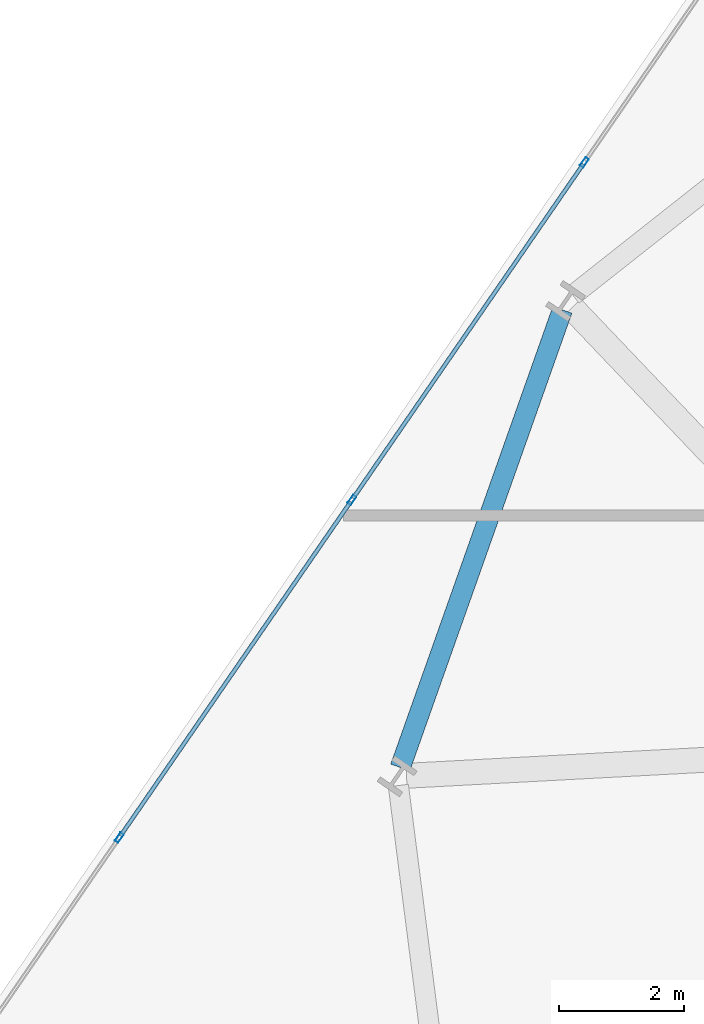
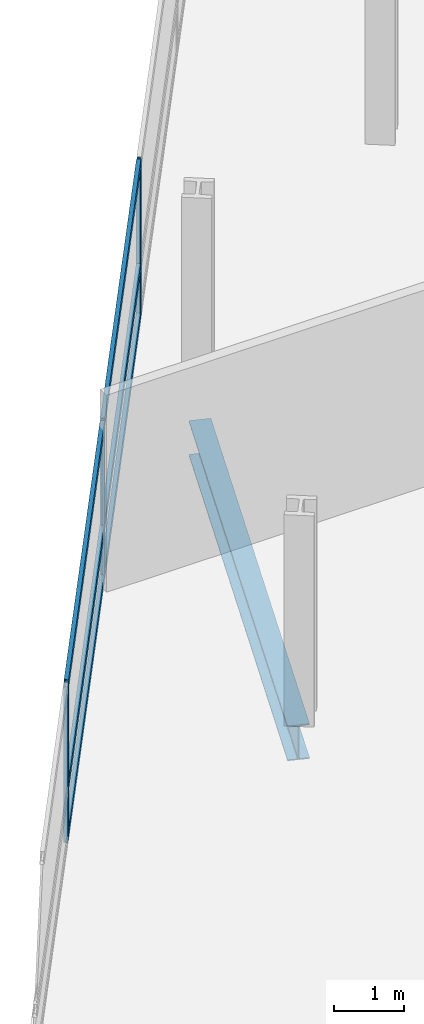
# One storey, part 4 of 25: 9 members, 1 beam, 1 element without a shape of its own.
"""IFC4 building model written with IfcOpenShell, lengths in metres."""

import ifcopenshell
import ifcopenshell.guid

model = None  # the IFC model being written
_history = None  # IfcOwnerHistory: only IFC2X3 demands one
_inside = {}  # id of a spatial element -> (the spatial element, [elements in it])
_under = {}  # id of a project, library or spatial element -> (it, [spatial elements below it])
_declared = {}  # id of a project -> (the project, [libraries it declares])
_typed = {}  # id of a type object -> (the type object, [elements of that type])
_made_of = {}  # id of a material, layer set ... -> (it, [elements and type objects made of it])


def new_model(schema):
    """Start an empty IFC model of exactly this schema.

    Asked for "IFC4X3", IfcOpenShell would pick the latest addendum, in which some entities
    have other attributes; the version numbers below select the first issue.
    IFC2X3 requires an IfcOwnerHistory on every rooted entity: one is made here for all.
    """
    global model, _history
    if schema == "IFC4X3":
        model = ifcopenshell.file(schema_version=(4, 3, 0, 0))
    else:
        model = ifcopenshell.file(schema=schema)
    _inside.clear()
    _under.clear()
    _declared.clear()
    _typed.clear()
    _made_of.clear()
    _history = None
    if model.schema == "IFC2X3":
        org = make("IfcOrganization", Name="unknown")
        user = make(
            "IfcPersonAndOrganization",
            ThePerson=make("IfcPerson", FamilyName="unknown"),
            TheOrganization=org,
        )
        app = make(
            "IfcApplication",
            ApplicationDeveloper=org,
            Version="unknown",
            ApplicationFullName="unknown",
            ApplicationIdentifier="unknown",
        )
        _history = make(
            "IfcOwnerHistory",
            OwningUser=user,
            OwningApplication=app,
            ChangeAction="ADDED",
            CreationDate=0,
        )
    return model


def make(cls, **values):
    """One entity of the class cls with the attributes given. An attribute that is None is left unset."""
    return model.create_entity(
        cls, **{name: value for name, value in values.items() if value is not None}
    )


def rooted(cls, **values):
    """An entity with a GlobalId (a new one), such as an element, a storey or a relation."""
    return make(cls, GlobalId=ifcopenshell.guid.new(), OwnerHistory=_history, **values)


def si_unit(unit_type, name, prefix=None):
    """IfcSIUnit, for example si_unit("LENGTHUNIT", "METRE", prefix="MILLI")."""
    return make("IfcSIUnit", UnitType=unit_type, Prefix=prefix, Name=name)


def assignment(units):
    """IfcUnitAssignment: the units of a project."""
    return None if units is None else make("IfcUnitAssignment", Units=units)


def point(xyz):
    """IfcCartesianPoint."""
    return None if xyz is None else make("IfcCartesianPoint", Coordinates=xyz)


def direction(xyz):
    """IfcDirection."""
    return None if xyz is None else make("IfcDirection", DirectionRatios=xyz)


def frame(location, z_axis=None, x_axis=None):
    """IfcAxis2Placement3D, a coordinate frame: its origin and axes. An axis left out is left unset."""
    return make(
        "IfcAxis2Placement3D",
        Location=point(location),
        Axis=direction(z_axis),
        RefDirection=direction(x_axis),
    )


def frame_2d(location, x_axis=None):
    """IfcAxis2Placement2D, a coordinate frame in the plane: its origin and x axis."""
    return make(
        "IfcAxis2Placement2D", Location=point(location), RefDirection=direction(x_axis)
    )


def origin():
    """The frame at (0, 0, 0) with its axes left unset."""
    return frame((0.0, 0.0, 0.0))


def origin_2d():
    """The frame at (0, 0) in the plane with its x axis left unset."""
    return frame_2d((0.0, 0.0))


def place(relative_to, where):
    """IfcLocalPlacement: puts the frame where relative to a parent placement (None: the world)."""
    return make(
        "IfcLocalPlacement", PlacementRelTo=relative_to, RelativePlacement=where
    )


def context(
    kind, dimensions, precision=None, world=None, true_north=None, identifier=None
):
    """IfcGeometricRepresentationContext, for example the 3D "Model" context."""
    return make(
        "IfcGeometricRepresentationContext",
        ContextIdentifier=identifier,
        ContextType=kind,
        CoordinateSpaceDimension=dimensions,
        Precision=precision,
        WorldCoordinateSystem=world,
        TrueNorth=true_north,
    )


def subcontext(parent, identifier, kind, view, scale=None):
    """IfcGeometricRepresentationSubContext, for example "Body" below "Model"."""
    return make(
        "IfcGeometricRepresentationSubContext",
        ContextIdentifier=identifier,
        ContextType=kind,
        ParentContext=parent,
        TargetScale=scale,
        TargetView=view,
    )


def project(units=None, contexts=None):
    """IfcProject with its units and contexts."""
    return rooted(
        "IfcProject",
        Name="project",
        RepresentationContexts=contexts,
        UnitsInContext=assignment(units),
    )


def spatial(cls, under=None, at=None, **own):
    """A site, building, storey or space (cls), placed at a placement, below another one or the project."""
    s = rooted(cls, ObjectPlacement=at, **own)
    if under is not None:
        _under.setdefault(under.id(), (under, []))[1].append(s)
    return s


def profile(cls, at=None, kind="AREA", **sizes):
    """A parametric profile (cls). Its sizes go by their IFC names, for example OverallWidth=200.0."""
    return make(cls, ProfileType=kind, Position=at, **sizes)


def hollow_rectangle(**sizes):
    """IfcRectangleHollowProfileDef."""
    return profile("IfcRectangleHollowProfileDef", **sizes)


def i_section(**sizes):
    """IfcIShapeProfileDef."""
    return profile("IfcIShapeProfileDef", **sizes)


def extrude(swept, where, along, depth):
    """IfcExtrudedAreaSolid: the profile swept, set in the frame where, extruded along a direction by depth."""
    return make(
        "IfcExtrudedAreaSolid",
        SweptArea=swept,
        Position=where,
        ExtrudedDirection=direction(along),
        Depth=depth,
    )


def shape(context_of_items, identifier, shape_type, items):
    """IfcShapeRepresentation: the items that make up one representation, for example the "Body"."""
    return make(
        "IfcShapeRepresentation",
        ContextOfItems=context_of_items,
        RepresentationIdentifier=identifier,
        RepresentationType=shape_type,
        Items=items,
    )


def material(Name=None, Category=None):
    """IfcMaterial."""
    return make("IfcMaterial", Name=Name, Category=Category)


def layer(
    of_material, thickness, ventilated=None, Name=None, Category=None, Priority=None
):
    """IfcMaterialLayer: one layer of a wall or slab, of a material (None: an air gap)."""
    return make(
        "IfcMaterialLayer",
        Material=of_material,
        LayerThickness=thickness,
        IsVentilated=ventilated,
        Name=Name,
        Category=Category,
        Priority=Priority,
    )


def layer_set(layers, Name=None):
    """IfcMaterialLayerSet."""
    return make("IfcMaterialLayerSet", MaterialLayers=layers, LayerSetName=Name)


def material_profile(
    of_material, cross_section, Name=None, Category=None, Priority=None
):
    """IfcMaterialProfile: a cross section and its material."""
    return make(
        "IfcMaterialProfile",
        Name=Name,
        Material=of_material,
        Profile=cross_section,
        Priority=Priority,
        Category=Category,
    )


def profile_set(profiles, Name=None, composite=None):
    """IfcMaterialProfileSet."""
    return make(
        "IfcMaterialProfileSet",
        Name=Name,
        MaterialProfiles=profiles,
        CompositeProfile=composite,
    )


def made_of(thing, what):
    """Note that an element or type object is made of a material, layer set ...; save() writes the relation."""
    if what is not None:
        _made_of.setdefault(what.id(), (what, []))[1].append(thing)
    return thing


def type_object(cls, material=None, **own):
    """A type object (cls), such as IfcWallType, which elements share."""
    return made_of(rooted(cls, **own), material)


def element(
    cls,
    number,
    at=None,
    inside=None,
    cuts=None,
    type_object=None,
    material=None,
    context=None,
    identifier="Body",
    shape_type=None,
    held_by="IfcProductDefinitionShape",
    body=None,
    shapes=None,
    **own,
):
    """One element of the class cls, such as IfcWall. Its Tag is "e" and its number.

    at: its placement. inside: the storey or other place that contains it. cuts: it is an
    opening in that element (IfcRelVoidsElement). A single representation is given by context,
    identifier, shape_type and body (its items); several are given by shapes. held_by: the class
    of the entity that holds the representations. save() writes the other relations.
    """
    e = rooted(cls, Tag="e%d" % number, ObjectPlacement=at, **own)
    if body is not None:
        shapes = [shape(context, identifier, shape_type, body)]
    if shapes is not None:
        e.Representation = make(held_by, Representations=shapes)
    if inside is not None:
        _inside.setdefault(inside.id(), (inside, []))[1].append(e)
    if cuts is not None:
        rooted(
            "IfcRelVoidsElement", RelatingBuildingElement=cuts, RelatedOpeningElement=e
        )
    if type_object is not None:
        _typed.setdefault(type_object.id(), (type_object, []))[1].append(e)
    return made_of(e, material)


def aggregate(whole, parts):
    """IfcRelAggregates: a whole, such as a stair, and the parts it consists of."""
    return rooted("IfcRelAggregates", RelatingObject=whole, RelatedObjects=parts)


def save(model, path):
    """Write the relations noted so far, then the file.

    IfcRelAggregates (storeys below a building ...), IfcRelContainedInSpatialStructure (elements
    in a storey), IfcRelDefinesByType, IfcRelAssociatesMaterial and IfcRelDeclares: one each for
    every whole, place, type object, material and project.
    """
    for whole, parts in _under.values():
        aggregate(whole, parts)
    for where, things in _inside.values():
        rooted(
            "IfcRelContainedInSpatialStructure",
            RelatedElements=things,
            RelatingStructure=where,
        )
    for kind, things in _typed.values():
        rooted("IfcRelDefinesByType", RelatedObjects=things, RelatingType=kind)
    for what, things in _made_of.values():
        rooted("IfcRelAssociatesMaterial", RelatedObjects=things, RelatingMaterial=what)
    for by, libraries in _declared.values():
        rooted("IfcRelDeclares", RelatingContext=by, RelatedDefinitions=libraries)
    model.write(path)


model = new_model("IFC4")

# Units and contexts
model_context = context("Model", 3, precision=1e-05, world=origin(), true_north=direction((0.0, 1.0)))
body_context = subcontext(model_context, "Body", "Model", "MODEL_VIEW")
ifc_project = project(units=[si_unit("LENGTHUNIT", "METRE"), si_unit("AREAUNIT", "SQUARE_METRE"), si_unit("VOLUMEUNIT", "CUBIC_METRE"), si_unit("PLANEANGLEUNIT", "RADIAN"), si_unit("MASSUNIT", "GRAM", prefix="KILO")], contexts=[model_context])

# Site, building, storey
site_placement = place(None, origin())
site = spatial("IfcSite", under=ifc_project, at=site_placement, CompositionType="ELEMENT")
building_placement = place(site_placement, origin())
building = spatial("IfcBuilding", under=site, at=building_placement, Name="Varnelok Gate Tower", CompositionType="ELEMENT")
storey_placement = place(building_placement, frame((0.0, 0.0, 49.199951171875)))
storey = spatial("IfcBuildingStorey", under=building, at=storey_placement, Name="L11", CompositionType="ELEMENT", Elevation=49.199951171875)

# Beam
ifc_material_1 = material(Name="Structural Steel ASTM A992 Grade 50", Category="steel")
ifc_material_profile_1 = material_profile(ifc_material_1, i_section(OverallWidth=0.323974609375, OverallDepth=0.611083984375, WebThickness=0.0126953125, FlangeThickness=0.01904296875, FilletRadius=0.01806640625, at=origin_2d()), Name="W24X104")
ifc_profile_set_1 = profile_set([ifc_material_profile_1], Name="Structural Steel ASTM A992 Grade 50")
beam_type = type_object("IfcBeamType", Name="BM-SPN-W24X104", PredefinedType="SPANDREL", material=ifc_profile_set_1)
beam_placement = place(storey_placement, frame((6.679931640625, 45.09619140625, -0.555419921875), z_axis=(-0.333877359029, -0.942616522838, 0.0), x_axis=(0.942616522838, -0.333877359029, 0.0)))
element("IfcBeam", 1, at=beam_placement, inside=storey, type_object=beam_type, Name="L11 Perimeter Spandrel Beam 15", PredefinedType="SPANDREL", context=body_context, shape_type="SweptSolid", body=[
    extrude(i_section(OverallWidth=0.323974609375, OverallDepth=0.611083984375, WebThickness=0.0126953125, FlangeThickness=0.01904296875, FilletRadius=0.01806640625, at=origin_2d()), origin(), (0.0, 0.0, 1.0), 7.77734375),
])

# Curtain wall, members
ifc_material_2 = material(Name="Anodized Aluminum Alloy 6063-T6", Category="aluminium")
ifc_layer = layer(ifc_material_2, 0.179931640625)
ifc_layer_set = layer_set([ifc_layer], Name="Anodized Aluminum Alloy 6063-T6")
curtain_wall_type = type_object("IfcCurtainWallType", Name="CW3-HOTEL-VISION", PredefinedType="USERDEFINED", material=ifc_layer_set)
curtain_wall_placement = place(storey_placement, origin())
curtain_wall = element("IfcCurtainWall", 2, at=curtain_wall_placement, inside=storey, type_object=curtain_wall_type, Name="L11 West End Vision Curtain Wall", ObjectType="UNITISED CURTAIN WALL", PredefinedType="USERDEFINED")
ifc_material_profile_2 = material_profile(ifc_material_2, hollow_rectangle(XDim=0.06494140625, YDim=0.159912109375, WallThickness=0.00390625, at=origin_2d()), Name="ALU160X65X4")
ifc_profile_set_2 = profile_set([ifc_material_profile_2], Name="Anodized Aluminum Alloy 6063-T6")
member_type_1 = type_object("IfcMemberType", Name="CW-MULL-160", PredefinedType="MULLION", material=ifc_profile_set_2)
member_1_placement = place(storey_placement, frame((-0.417236328125, 36.641845703125, 0.0), z_axis=(0.0, 0.0, 1.0), x_axis=(-0.823532685111, 0.567268822124, 0.0)))
member_1 = element("IfcMember", 3, at=member_1_placement, type_object=member_type_1, Name="CW3 mullion 2", PredefinedType="MULLION", context=body_context, shape_type="SweptSolid", body=[
    extrude(hollow_rectangle(XDim=0.06494140625, YDim=0.159912109375, WallThickness=0.00390625, at=origin_2d()), origin(), (0.0, 0.0, 1.0), 2.72998046875),
])
member_2_placement = place(storey_placement, frame((3.3076171875, 42.049560546875, 0.0), z_axis=(0.0, 0.0, 1.0), x_axis=(-0.823532685111, 0.567268822124, 0.0)))
member_2 = element("IfcMember", 4, at=member_2_placement, type_object=member_type_1, Name="CW3 mullion 3", PredefinedType="MULLION", context=body_context, shape_type="SweptSolid", body=[
    extrude(hollow_rectangle(XDim=0.06494140625, YDim=0.159912109375, WallThickness=0.00390625, at=origin_2d()), origin(), (0.0, 0.0, 1.0), 2.72998046875),
])
member_3_placement = place(storey_placement, frame((7.03271484375, 47.45751953125, 0.0), z_axis=(0.0, 0.0, 1.0), x_axis=(-0.823532685111, 0.567268822124, 0.0)))
member_3 = element("IfcMember", 5, at=member_3_placement, type_object=member_type_1, Name="CW3 mullion 4", PredefinedType="MULLION", context=body_context, shape_type="SweptSolid", body=[
    extrude(hollow_rectangle(XDim=0.06494140625, YDim=0.159912109375, WallThickness=0.00390625, at=origin_2d()), origin(), (0.0, 0.0, 1.0), 2.72998046875),
])
ifc_material_profile_3 = material_profile(ifc_material_2, hollow_rectangle(XDim=0.06494140625, YDim=0.159912109375, WallThickness=0.00390625, at=origin_2d()), Name="ALU160X65X4")
ifc_profile_set_3 = profile_set([ifc_material_profile_3], Name="Anodized Aluminum Alloy 6063-T6")
member_type_2 = type_object("IfcMemberType", Name="CW-TRAN-160", PredefinedType="USERDEFINED", material=ifc_profile_set_3)
member_4_placement = place(storey_placement, frame((-0.39892578125, 36.66845703125, 0.032470703125), z_axis=(0.567261662339, 0.823537616894, 0.0), x_axis=(-0.823537616894, 0.567261662339, 0.0)))
member_4 = element("IfcMember", 6, at=member_4_placement, type_object=member_type_2, Name="CW3 transom 2.1", ObjectType="TRANSOM", PredefinedType="USERDEFINED", context=body_context, shape_type="SweptSolid", body=[
    extrude(hollow_rectangle(XDim=0.06494140625, YDim=0.159912109375, WallThickness=0.00390625, at=origin_2d()), origin(), (0.0, 0.0, 1.0), 6.501708984375),
])
member_5_placement = place(storey_placement, frame((-0.39892578125, 36.66845703125, 0.900146484375), z_axis=(0.567261662339, 0.823537616894, 0.0), x_axis=(-0.823537616894, 0.567261662339, 0.0)))
member_5 = element("IfcMember", 7, at=member_5_placement, type_object=member_type_2, Name="CW3 transom 2.2", ObjectType="TRANSOM", PredefinedType="USERDEFINED", context=body_context, shape_type="SweptSolid", body=[
    extrude(hollow_rectangle(XDim=0.06494140625, YDim=0.159912109375, WallThickness=0.00390625, at=origin_2d()), origin(), (0.0, 0.0, 1.0), 6.501708984375),
])
member_6_placement = place(storey_placement, frame((-0.39892578125, 36.66845703125, 2.697509765625), z_axis=(0.567261662339, 0.823537616894, 0.0), x_axis=(-0.823537616894, 0.567261662339, 0.0)))
member_6 = element("IfcMember", 8, at=member_6_placement, type_object=member_type_2, Name="CW3 transom 2.3", ObjectType="TRANSOM", PredefinedType="USERDEFINED", context=body_context, shape_type="SweptSolid", body=[
    extrude(hollow_rectangle(XDim=0.06494140625, YDim=0.159912109375, WallThickness=0.00390625, at=origin_2d()), origin(), (0.0, 0.0, 1.0), 6.501708984375),
])
member_7_placement = place(storey_placement, frame((3.326171875, 42.076416015625, 0.032470703125), z_axis=(0.567279204469, 0.823525533409, 0.0), x_axis=(-0.823525533409, 0.567279204469, 0.0)))
member_7 = element("IfcMember", 9, at=member_7_placement, type_object=member_type_2, Name="CW3 transom 3.1", ObjectType="TRANSOM", PredefinedType="USERDEFINED", context=body_context, shape_type="SweptSolid", body=[
    extrude(hollow_rectangle(XDim=0.06494140625, YDim=0.159912109375, WallThickness=0.00390625, at=origin_2d()), origin(), (0.0, 0.0, 1.0), 6.501708984375),
])
member_8_placement = place(storey_placement, frame((3.326171875, 42.076416015625, 0.900146484375), z_axis=(0.567279204469, 0.823525533409, 0.0), x_axis=(-0.823525533409, 0.567279204469, 0.0)))
member_8 = element("IfcMember", 10, at=member_8_placement, type_object=member_type_2, Name="CW3 transom 3.2", ObjectType="TRANSOM", PredefinedType="USERDEFINED", context=body_context, shape_type="SweptSolid", body=[
    extrude(hollow_rectangle(XDim=0.06494140625, YDim=0.159912109375, WallThickness=0.00390625, at=origin_2d()), origin(), (0.0, 0.0, 1.0), 6.501708984375),
])
member_9_placement = place(storey_placement, frame((3.326171875, 42.076416015625, 2.697509765625), z_axis=(0.567279204469, 0.823525533409, 0.0), x_axis=(-0.823525533409, 0.567279204469, 0.0)))
member_9 = element("IfcMember", 11, at=member_9_placement, type_object=member_type_2, Name="CW3 transom 3.3", ObjectType="TRANSOM", PredefinedType="USERDEFINED", context=body_context, shape_type="SweptSolid", body=[
    extrude(hollow_rectangle(XDim=0.06494140625, YDim=0.159912109375, WallThickness=0.00390625, at=origin_2d()), origin(), (0.0, 0.0, 1.0), 6.501708984375),
])
aggregate(curtain_wall, [member_1, member_2, member_3, member_4, member_5, member_6, member_7, member_8, member_9])

save(model, "model.ifc")
